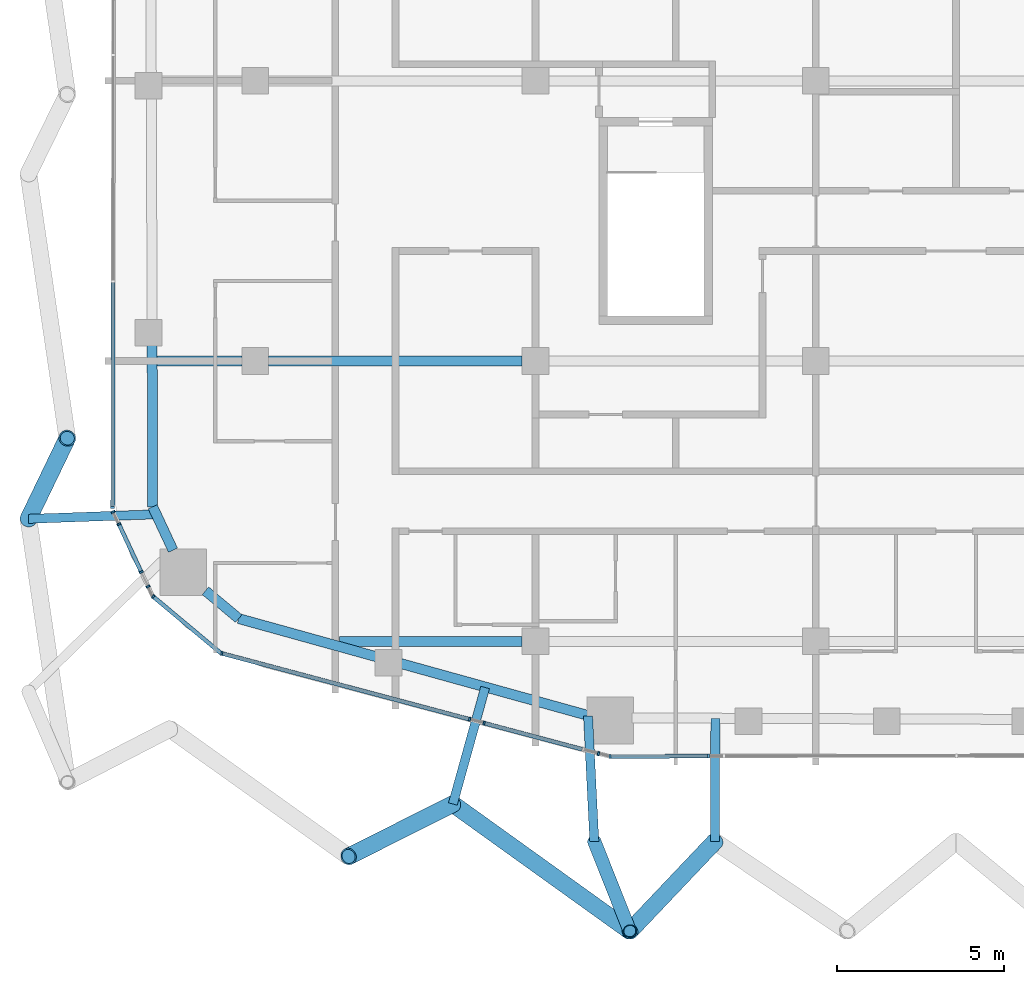
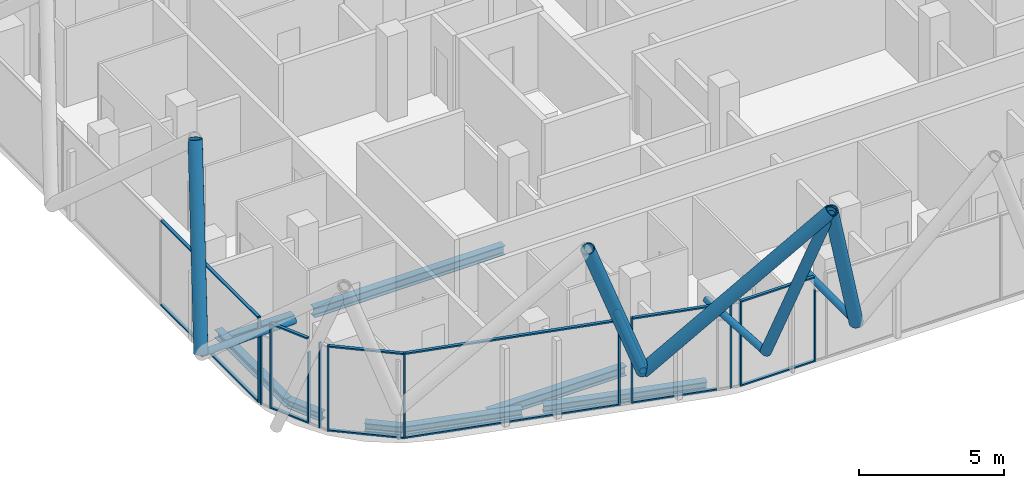
# One storey, part 2 of 33: 33 members, 8 beams, 12 elements without a shape of their own.
"""IFC4 building model written with IfcOpenShell, lengths in metres."""

from ifc_helpers import new_model, si_unit, direction, frame, origin, origin_2d, place, context, subcontext, project, spatial, rectangle, hollow_circle, i_section, extrude, material, layer, layer_set, material_profile, profile_set, type_object, element, aggregate, save


model = new_model("IFC4")

# Units and contexts
model_context = context("Model", 3, precision=1e-05, world=origin(), true_north=direction((0.0, 1.0)))
body_context = subcontext(model_context, "Body", "Model", "MODEL_VIEW")
ifc_project = project(units=[si_unit("LENGTHUNIT", "METRE"), si_unit("AREAUNIT", "SQUARE_METRE"), si_unit("VOLUMEUNIT", "CUBIC_METRE"), si_unit("PLANEANGLEUNIT", "RADIAN"), si_unit("MASSUNIT", "GRAM", prefix="KILO")], contexts=[model_context])

# Site, building, storey
site_placement = place(None, origin())
site = spatial("IfcSite", under=ifc_project, at=site_placement, CompositionType="ELEMENT")
building_placement = place(site_placement, origin())
building = spatial("IfcBuilding", under=site, at=building_placement, Name="Marenta Gate Hotel Tower", CompositionType="ELEMENT")
storey_placement = place(building_placement, frame((0.0, 0.0, 248.89990234375)))
storey = spatial("IfcBuildingStorey", under=building, at=storey_placement, Name="L59", CompositionType="ELEMENT", Elevation=248.89990234375)

# Members
ifc_material_1 = material(Name="Steel S355J2W", Category="steel")
ifc_material_profile_1 = material_profile(ifc_material_1, hollow_circle(Radius=0.203125, WallThickness=0.02490234375, at=origin_2d()), Name="CHS 406.4x25")
ifc_profile_set_1 = profile_set([ifc_material_profile_1], Name="Steel S355J2W")
member_type_1 = type_object("IfcMemberType", Name="Diagrid corner post Z3 CHS 406.4x25", PredefinedType="POST", material=ifc_profile_set_1)
member_1_placement = place(storey_placement, frame((-10.839111328125, -31.199951171875, 3.14013671875), z_axis=(0.137305110059, -0.346110841263, 0.92809190941), x_axis=(0.929527961275, 0.36875163621, 0.0)))
element("IfcMember", 1, at=member_1_placement, inside=storey, type_object=member_type_1, Name="L59-DR-4", PredefinedType="POST", context=body_context, shape_type="SweptSolid", body=[
    extrude(hollow_circle(Radius=0.203125, WallThickness=0.02490234375, at=origin_2d()), origin(), (0.0, 0.0, 1.0), 7.7578125),
])
ifc_material_2 = material(Name="Steel S355J2W", Category="steel")
ifc_material_profile_2 = material_profile(ifc_material_2, hollow_circle(Radius=0.25390625, WallThickness=0.0400390625, at=origin_2d()), Name="CHS 508x40")
ifc_profile_set_2 = profile_set([ifc_material_profile_2], Name="Steel S355J2W")
member_type_2 = type_object("IfcMemberType", Name="Diagrid diagonal T3 CHS 508x40", PredefinedType="BRACE", material=ifc_profile_set_2)
member_2_placement = place(storey_placement, frame((-7.22607421875, -31.199951171875, 3.14013671875), z_axis=(-0.314716585897, -0.331664719403, 0.889354813595), x_axis=(0.725397829228, -0.688329855049, 0.0)))
element("IfcMember", 2, at=member_2_placement, inside=storey, type_object=member_type_2, Name="L59-DG-20", PredefinedType="BRACE", context=body_context, shape_type="SweptSolid", body=[
    extrude(hollow_circle(Radius=0.25390625, WallThickness=0.0400390625, at=origin_2d()), origin(), (0.0, 0.0, 1.0), 8.095703125),
])
member_3_placement = place(storey_placement, frame((-15.079345703125, -30.074951171875, 3.14013671875), z_axis=(0.545753113279, -0.391929643635, 0.740638031555), x_axis=(0.583311759267, 0.812248355801, 0.0)))
element("IfcMember", 3, at=member_3_placement, inside=storey, type_object=member_type_2, Name="L59-DG-21", PredefinedType="BRACE", context=body_context, shape_type="SweptSolid", body=[
    extrude(hollow_circle(Radius=0.25390625, WallThickness=0.0400390625, at=origin_2d()), origin(), (0.0, 0.0, 1.0), 9.72119140625),
])
member_4_placement = place(storey_placement, frame((-15.079345703125, -30.074951171875, 3.14013671875), z_axis=(-0.390406899017, -0.196530119308, 0.899421127951), x_axis=(0.44964017183, -0.893209782681, 0.0)))
element("IfcMember", 4, at=member_4_placement, inside=storey, type_object=member_type_2, Name="L59-DG-22", PredefinedType="BRACE", context=body_context, shape_type="SweptSolid", body=[
    extrude(hollow_circle(Radius=0.25390625, WallThickness=0.0400390625, at=origin_2d()), origin(), (0.0, 0.0, 1.0), 8.005126953125),
])
member_5_placement = place(storey_placement, frame((-27.800048828125, -21.530029296875, 3.14013671875), z_axis=(0.151621202874, 0.314648946366, 0.937020304684), x_axis=(-0.900863347465, 0.434102786439, 0.0)))
element("IfcMember", 5, at=member_5_placement, inside=storey, type_object=member_type_2, Name="L59-DG-26", PredefinedType="BRACE", context=body_context, shape_type="SweptSolid", body=[
    extrude(hollow_circle(Radius=0.25390625, WallThickness=0.0400390625, at=origin_2d()), origin(), (0.0, 0.0, 1.0), 7.683837890625),
])

# Beams
ifc_material_3 = material(Name="Steel S355", Category="steel")
ifc_material_profile_3 = material_profile(ifc_material_3, i_section(OverallWidth=0.300048828125, OverallDepth=0.340087890625, WebThickness=0.011962890625, FlangeThickness=0.021484375, FilletRadius=0.027099609375, at=origin_2d()), Name="HEB 340")
ifc_profile_set_3 = profile_set([ifc_material_profile_3], Name="Steel S355")
beam_type_1 = type_object("IfcBeamType", Name="Edge beam HEB 340", PredefinedType="SPANDREL", material=ifc_profile_set_3)
beam_1_placement = place(storey_placement, frame((-11.02783203125, -27.42236328125, -0.429931640625), z_axis=(-0.963619240724, 0.267278803699, 0.0), x_axis=(-0.267278803699, -0.963619240724, 0.0)))
element("IfcBeam", 6, at=beam_1_placement, inside=storey, type_object=beam_type_1, Name="L59-EB-1", PredefinedType="SPANDREL", context=body_context, shape_type="SweptSolid", body=[
    extrude(i_section(OverallWidth=0.300048828125, OverallDepth=0.340087890625, WebThickness=0.011962890625, FlangeThickness=0.021484375, FilletRadius=0.027099609375, at=origin_2d()), origin(), (0.0, 0.0, 1.0), 5.82958984375),
])
beam_2_placement = place(storey_placement, frame((-17.3681640625, -25.663818359375, -0.429931640625), z_axis=(-0.963628037304, 0.267247087396, 0.0), x_axis=(-0.267247087396, -0.963628037304, 0.0)))
element("IfcBeam", 7, at=beam_2_placement, inside=storey, type_object=beam_type_1, Name="L59-EB-2", PredefinedType="SPANDREL", context=body_context, shape_type="SweptSolid", body=[
    extrude(i_section(OverallWidth=0.300048828125, OverallDepth=0.340087890625, WebThickness=0.011962890625, FlangeThickness=0.021484375, FilletRadius=0.027099609375, at=origin_2d()), origin(), (0.0, 0.0, 1.0), 4.284423828125),
])
beam_3_placement = place(storey_placement, frame((-21.496826171875, -24.518798828125, -0.429931640625), z_axis=(-0.767065103149, 0.641569269472, 0.0), x_axis=(-0.641569269472, -0.767065103149, 0.0)))
element("IfcBeam", 8, at=beam_3_placement, inside=storey, type_object=beam_type_1, Name="L59-EB-3", PredefinedType="SPANDREL", context=body_context, shape_type="SweptSolid", body=[
    extrude(i_section(OverallWidth=0.300048828125, OverallDepth=0.340087890625, WebThickness=0.011962890625, FlangeThickness=0.021484375, FilletRadius=0.027099609375, at=origin_2d()), origin(), (0.0, 0.0, 1.0), 1.299560546875),
])
beam_4_placement = place(storey_placement, frame((-23.466796875, -22.46923828125, -0.429931640625), z_axis=(-0.423341112024, 0.905970365338, 0.0), x_axis=(-0.905970365338, -0.423341112024, 0.0)))
element("IfcBeam", 9, at=beam_4_placement, inside=storey, type_object=beam_type_1, Name="L59-EB-4", PredefinedType="SPANDREL", context=body_context, shape_type="SweptSolid", body=[
    extrude(i_section(OverallWidth=0.300048828125, OverallDepth=0.340087890625, WebThickness=0.011962890625, FlangeThickness=0.021484375, FilletRadius=0.027099609375, at=origin_2d()), origin(), (0.0, 0.0, 1.0), 1.437255859375),
])
beam_5_placement = place(storey_placement, frame((-24.0751953125, -21.167236328125, -0.429931640625), z_axis=(-0.003318732666, 0.999994492992, 0.0), x_axis=(-0.999994492992, -0.003318732666, 0.0)))
element("IfcBeam", 10, at=beam_5_placement, inside=storey, type_object=beam_type_1, Name="L59-EB-5", PredefinedType="SPANDREL", context=body_context, shape_type="SweptSolid", body=[
    extrude(i_section(OverallWidth=0.300048828125, OverallDepth=0.340087890625, WebThickness=0.011962890625, FlangeThickness=0.021484375, FilletRadius=0.027099609375, at=origin_2d()), origin(), (0.0, 0.0, 1.0), 4.855224609375),
])

# Members
ifc_material_4 = material(Name="Steel S355J2W", Category="steel")
ifc_material_profile_4 = material_profile(ifc_material_4, hollow_circle(Radius=0.136474609375, WallThickness=0.012451171875, at=origin_2d()), Name="CHS 273x12.5")
ifc_profile_set_4 = profile_set([ifc_material_profile_4], Name="Steel S355J2W")
member_type_3 = type_object("IfcMemberType", Name="Floor tie CHS 273x12.5", PredefinedType="STRUT", material=ifc_profile_set_4)
member_6_placement = place(storey_placement, frame((-7.22607421875, -31.199951171875, 3.14013671875), z_axis=(0.003847911538, 0.999992596761, 0.0), x_axis=(-0.999992596761, 0.003847911538, 0.0)))
element("IfcMember", 11, at=member_6_placement, inside=storey, type_object=member_type_3, Name="L59-DR-15", PredefinedType="STRUT", context=body_context, shape_type="SweptSolid", body=[
    extrude(hollow_circle(Radius=0.136474609375, WallThickness=0.012451171875, at=origin_2d()), origin(), (0.0, 0.0, 1.0), 3.679931640625),
])
member_7_placement = place(storey_placement, frame((-10.839111328125, -31.199951171875, 3.14013671875), z_axis=(-0.049908522341, 0.998753793183, 0.0), x_axis=(-0.998753793183, -0.049908522341, 0.0)))
element("IfcMember", 12, at=member_7_placement, inside=storey, type_object=member_type_3, Name="L59-DR-16", PredefinedType="STRUT", context=body_context, shape_type="SweptSolid", body=[
    extrude(hollow_circle(Radius=0.136474609375, WallThickness=0.012451171875, at=origin_2d()), origin(), (0.0, 0.0, 1.0), 3.7666015625),
])
member_8_placement = place(storey_placement, frame((-15.079345703125, -30.074951171875, 3.14013671875), z_axis=(0.267310296681, 0.96361050497, 0.0), x_axis=(-0.96361050497, 0.267310296681, 0.0)))
element("IfcMember", 13, at=member_8_placement, inside=storey, type_object=member_type_3, Name="L59-DR-17", PredefinedType="STRUT", context=body_context, shape_type="SweptSolid", body=[
    extrude(hollow_circle(Radius=0.136474609375, WallThickness=0.012451171875, at=origin_2d()), origin(), (0.0, 0.0, 1.0), 3.6240234375),
])
member_9_placement = place(storey_placement, frame((-27.800048828125, -21.530029296875, 3.14013671875), z_axis=(0.999367409189, 0.03556376597, 0.0), x_axis=(-0.03556376597, 0.999367409189, 0.0)))
element("IfcMember", 14, at=member_9_placement, inside=storey, type_object=member_type_3, Name="L59-DR-19", PredefinedType="STRUT", context=body_context, shape_type="SweptSolid", body=[
    extrude(hollow_circle(Radius=0.136474609375, WallThickness=0.012451171875, at=origin_2d()), origin(), (0.0, 0.0, 1.0), 3.81689453125),
])

# Beams
ifc_material_5 = material(Name="Steel S355", Category="steel")
ifc_material_profile_5 = material_profile(ifc_material_5, i_section(OverallWidth=0.300048828125, OverallDepth=0.39990234375, WebThickness=0.013427734375, FlangeThickness=0.02392578125, FilletRadius=0.027099609375, at=origin_2d()), Name="HEB 400")
ifc_profile_set_5 = profile_set([ifc_material_profile_5], Name="Steel S355")
beam_type_2 = type_object("IfcBeamType", Name="Girder HEB 400", PredefinedType="BEAM", material=ifc_profile_set_5)
beam_6_placement = place(storey_placement, frame((-18.479248046875, -25.199951171875, -0.4599609375), z_axis=(1.0, 0.0, 0.0), x_axis=(0.0, 1.0, 0.0)))
element("IfcBeam", 15, at=beam_6_placement, inside=storey, type_object=beam_type_2, Name="L59-GD-1", PredefinedType="BEAM", context=body_context, shape_type="SweptSolid", body=[
    extrude(i_section(OverallWidth=0.300048828125, OverallDepth=0.39990234375, WebThickness=0.013427734375, FlangeThickness=0.02392578125, FilletRadius=0.027099609375, at=origin_2d()), origin(), (0.0, 0.0, 1.0), 5.479248046875),
])
beam_7_placement = place(storey_placement, frame((-23.939697265625, -16.800048828125, -0.4599609375), z_axis=(1.0, 0.0, 0.0), x_axis=(0.0, 1.0, 0.0)))
element("IfcBeam", 16, at=beam_7_placement, inside=storey, type_object=beam_type_2, Name="L59-GD-6", PredefinedType="BEAM", context=body_context, shape_type="SweptSolid", body=[
    extrude(i_section(OverallWidth=0.300048828125, OverallDepth=0.39990234375, WebThickness=0.013427734375, FlangeThickness=0.02392578125, FilletRadius=0.027099609375, at=origin_2d()), origin(), (0.0, 0.0, 1.0), 2.539794921875),
])
beam_8_placement = place(storey_placement, frame((-20.60009765625, -16.800048828125, -0.4599609375), z_axis=(1.0, 0.0, 0.0), x_axis=(0.0, 1.0, 0.0)))
element("IfcBeam", 17, at=beam_8_placement, inside=storey, type_object=beam_type_2, Name="L59-GD-7", PredefinedType="BEAM", context=body_context, shape_type="SweptSolid", body=[
    extrude(i_section(OverallWidth=0.300048828125, OverallDepth=0.39990234375, WebThickness=0.013427734375, FlangeThickness=0.02392578125, FilletRadius=0.027099609375, at=origin_2d()), origin(), (0.0, 0.0, 1.0), 7.60009765625),
])

# Curtain wall, member
ifc_material_6 = material(Name="Tinted insulated glass in bronze anodised frame", Category="glass")
ifc_layer = layer(ifc_material_6, 0.1201171875)
ifc_layer_set = layer_set([ifc_layer], Name="Tinted insulated glass in bronze anodised frame")
curtain_wall_type = type_object("IfcCurtainWallType", Name="Tower unitised curtain wall CW1", PredefinedType="NOTDEFINED", material=ifc_layer_set)
curtain_wall_1_placement = place(storey_placement, origin())
curtain_wall_1 = element("IfcCurtainWall", 18, at=curtain_wall_1_placement, inside=storey, type_object=curtain_wall_type, Name="CW1 run G08", PredefinedType="NOTDEFINED")
ifc_material_7 = material(Name="Bronze anodised aluminium", Category="aluminium")
ifc_material_profile_6 = material_profile(ifc_material_7, rectangle(XDim=0.1201171875, YDim=0.06005859375, at=origin_2d()), Name="Mullion CW1 60x120 bronze anodised aluminium")
ifc_profile_set_6 = profile_set([ifc_material_profile_6], Name="Bronze anodised aluminium")
member_type_4 = type_object("IfcMemberType", Name="Mullion CW1 60x120 bronze anodised aluminium", PredefinedType="MULLION", material=ifc_profile_set_6)
member_10_placement = place(storey_placement, frame((-25.27294921875, -21.183349609375, 0.0), z_axis=(0.0, 0.0, 1.0), x_axis=(0.999998775908, -0.001564666982, 0.0)))
member_10 = element("IfcMember", 19, at=member_10_placement, type_object=member_type_4, Name="CW1 mullion 4", PredefinedType="MULLION", context=body_context, shape_type="SweptSolid", body=[
    extrude(rectangle(XDim=0.1201171875, YDim=0.06005859375, at=origin_2d()), origin(), (0.0, 0.0, 1.0), 3.60009765625),
])

curtain_wall_2_placement = place(storey_placement, origin())
curtain_wall_2 = element("IfcCurtainWall", 20, at=curtain_wall_2_placement, inside=storey, type_object=curtain_wall_type, Name="CW1 run G09", PredefinedType="NOTDEFINED")
member_11_placement = place(storey_placement, frame((-25.26025390625, -21.321044921875, 0.0), z_axis=(0.0, 0.0, 1.0), x_axis=(0.905968482447, 0.423345141478, 0.0)))
member_11 = element("IfcMember", 21, at=member_11_placement, type_object=member_type_4, Name="CW1 mullion 1", PredefinedType="MULLION", context=body_context, shape_type="SweptSolid", body=[
    extrude(rectangle(XDim=0.1201171875, YDim=0.06005859375, at=origin_2d()), origin(), (0.0, 0.0, 1.0), 3.00048828125),
])
aggregate(curtain_wall_2, [member_11])

curtain_wall_3_placement = place(storey_placement, origin())
curtain_wall_3 = element("IfcCurtainWall", 22, at=curtain_wall_3_placement, inside=storey, type_object=curtain_wall_type, Name="CW1 run G10", PredefinedType="NOTDEFINED")
member_12_placement = place(storey_placement, frame((-25.0888671875, -21.687744140625, 0.0), z_axis=(0.0, 0.0, 1.0), x_axis=(0.905965126559, 0.423352323083, 0.0)))
member_12 = element("IfcMember", 23, at=member_12_placement, type_object=member_type_4, Name="CW1 mullion 1", PredefinedType="MULLION", context=body_context, shape_type="SweptSolid", body=[
    extrude(rectangle(XDim=0.1201171875, YDim=0.06005859375, at=origin_2d()), origin(), (0.0, 0.0, 1.0), 3.60009765625),
])

curtain_wall_4_placement = place(storey_placement, origin())
curtain_wall_4 = element("IfcCurtainWall", 24, at=curtain_wall_4_placement, inside=storey, type_object=curtain_wall_type, Name="CW1 run G11", PredefinedType="NOTDEFINED")
member_13_placement = place(storey_placement, frame((-24.418701171875, -23.121826171875, 0.0), z_axis=(0.0, 0.0, 1.0), x_axis=(0.905948786251, 0.423387289241, 0.0)))
member_13 = element("IfcMember", 25, at=member_13_placement, type_object=member_type_4, Name="CW1 mullion 1", PredefinedType="MULLION", context=body_context, shape_type="SweptSolid", body=[
    extrude(rectangle(XDim=0.1201171875, YDim=0.06005859375, at=origin_2d()), origin(), (0.0, 0.0, 1.0), 3.00048828125),
])
aggregate(curtain_wall_4, [member_13])

curtain_wall_5_placement = place(storey_placement, origin())
curtain_wall_5 = element("IfcCurtainWall", 26, at=curtain_wall_5_placement, inside=storey, type_object=curtain_wall_type, Name="CW1 run G12", PredefinedType="NOTDEFINED")
member_14_placement = place(storey_placement, frame((-24.215576171875, -23.556640625, 0.0), z_axis=(0.0, 0.0, 1.0), x_axis=(0.906041812836, 0.423188177285, 0.0)))
member_14 = element("IfcMember", 27, at=member_14_placement, type_object=member_type_4, Name="CW1 mullion 1", PredefinedType="MULLION", context=body_context, shape_type="SweptSolid", body=[
    extrude(rectangle(XDim=0.1201171875, YDim=0.06005859375, at=origin_2d()), origin(), (0.0, 0.0, 1.0), 3.60009765625),
])
aggregate(curtain_wall_5, [member_14])

curtain_wall_6_placement = place(storey_placement, origin())
curtain_wall_6 = element("IfcCurtainWall", 28, at=curtain_wall_6_placement, inside=storey, type_object=curtain_wall_type, Name="CW1 run G13", PredefinedType="NOTDEFINED")
member_15_placement = place(storey_placement, frame((-24.059814453125, -23.85986328125, 0.0), z_axis=(0.0, 0.0, 1.0), x_axis=(0.641524739495, 0.767102345594, 0.0)))
member_15 = element("IfcMember", 29, at=member_15_placement, type_object=member_type_4, Name="CW1 mullion 1", PredefinedType="MULLION", context=body_context, shape_type="SweptSolid", body=[
    extrude(rectangle(XDim=0.1201171875, YDim=0.06005859375, at=origin_2d()), origin(), (0.0, 0.0, 1.0), 3.60009765625),
])

curtain_wall_7_placement = place(storey_placement, origin())
curtain_wall_7 = element("IfcCurtainWall", 30, at=curtain_wall_7_placement, inside=storey, type_object=curtain_wall_type, Name="CW1 run G14", PredefinedType="NOTDEFINED")
member_16_placement = place(storey_placement, frame((-22.00634765625, -25.560791015625, 0.0), z_axis=(0.0, 0.0, 1.0), x_axis=(0.257136207427, 0.966375170847, 0.0)))
member_16 = element("IfcMember", 31, at=member_16_placement, type_object=member_type_4, Name="CW1 mullion 1", PredefinedType="MULLION", context=body_context, shape_type="SweptSolid", body=[
    extrude(rectangle(XDim=0.1201171875, YDim=0.06005859375, at=origin_2d()), origin(), (0.0, 0.0, 1.0), 3.60009765625),
])

curtain_wall_8_placement = place(storey_placement, origin())
curtain_wall_8 = element("IfcCurtainWall", 32, at=curtain_wall_8_placement, inside=storey, type_object=curtain_wall_type, Name="CW1 run G15", PredefinedType="NOTDEFINED")
member_17_placement = place(storey_placement, frame((-14.579345703125, -27.537109375, 0.0), z_axis=(0.0, 0.0, 1.0), x_axis=(0.257154287199, 0.966370359942, 0.0)))
member_17 = element("IfcMember", 33, at=member_17_placement, type_object=member_type_4, Name="CW1 mullion 1", PredefinedType="MULLION", context=body_context, shape_type="SweptSolid", body=[
    extrude(rectangle(XDim=0.1201171875, YDim=0.06005859375, at=origin_2d()), origin(), (0.0, 0.0, 1.0), 3.00048828125),
])
aggregate(curtain_wall_8, [member_17])

curtain_wall_9_placement = place(storey_placement, origin())
curtain_wall_9 = element("IfcCurtainWall", 34, at=curtain_wall_9_placement, inside=storey, type_object=curtain_wall_type, Name="CW1 run G16", PredefinedType="NOTDEFINED")
member_18_placement = place(storey_placement, frame((-14.1416015625, -27.653564453125, 0.0), z_axis=(0.0, 0.0, 1.0), x_axis=(0.257125303349, 0.966378072173, 0.0)))
member_18 = element("IfcMember", 35, at=member_18_placement, type_object=member_type_4, Name="CW1 mullion 1", PredefinedType="MULLION", context=body_context, shape_type="SweptSolid", body=[
    extrude(rectangle(XDim=0.1201171875, YDim=0.06005859375, at=origin_2d()), origin(), (0.0, 0.0, 1.0), 3.60009765625),
])

curtain_wall_10_placement = place(storey_placement, origin())
curtain_wall_10 = element("IfcCurtainWall", 36, at=curtain_wall_10_placement, inside=storey, type_object=curtain_wall_type, Name="CW1 run G18", PredefinedType="NOTDEFINED")
member_19_placement = place(storey_placement, frame((-10.71533203125, -28.565185546875, 0.0), z_axis=(0.0, 0.0, 1.0), x_axis=(0.257360406209, 0.966315487466, 0.0)))
member_19 = element("IfcMember", 37, at=member_19_placement, type_object=member_type_4, Name="CW1 mullion 1", PredefinedType="MULLION", context=body_context, shape_type="SweptSolid", body=[
    extrude(rectangle(XDim=0.1201171875, YDim=0.06005859375, at=origin_2d()), origin(), (0.0, 0.0, 1.0), 3.60009765625),
])
aggregate(curtain_wall_10, [member_19])

curtain_wall_11_placement = place(storey_placement, origin())
curtain_wall_11 = element("IfcCurtainWall", 38, at=curtain_wall_11_placement, inside=storey, type_object=curtain_wall_type, Name="CW1 run G19", PredefinedType="NOTDEFINED")
member_20_placement = place(storey_placement, frame((-10.3759765625, -28.6474609375, 0.0), z_axis=(0.0, 0.0, 1.0), x_axis=(-0.001653559645, 0.999998632869, 0.0)))
member_20 = element("IfcMember", 39, at=member_20_placement, type_object=member_type_4, Name="CW1 mullion 1", PredefinedType="MULLION", context=body_context, shape_type="SweptSolid", body=[
    extrude(rectangle(XDim=0.1201171875, YDim=0.06005859375, at=origin_2d()), origin(), (0.0, 0.0, 1.0), 3.60009765625),
])

curtain_wall_12_placement = place(storey_placement, origin())
curtain_wall_12 = element("IfcCurtainWall", 40, at=curtain_wall_12_placement, inside=storey, type_object=curtain_wall_type, Name="CW1 run G20", PredefinedType="NOTDEFINED")
member_21_placement = place(storey_placement, frame((-7.41259765625, -28.642578125, 0.0), z_axis=(0.0, 0.0, 1.0), x_axis=(-0.001766001654, 0.999998440618, 0.0)))
member_21 = element("IfcMember", 41, at=member_21_placement, type_object=member_type_4, Name="CW1 mullion 1", PredefinedType="MULLION", context=body_context, shape_type="SweptSolid", body=[
    extrude(rectangle(XDim=0.1201171875, YDim=0.06005859375, at=origin_2d()), origin(), (0.0, 0.0, 1.0), 3.00048828125),
])
aggregate(curtain_wall_12, [member_21])

# Member
ifc_material_8 = material(Name="Bronze anodised aluminium", Category="aluminium")
ifc_material_profile_7 = material_profile(ifc_material_8, rectangle(XDim=0.1201171875, YDim=0.06005859375, at=origin_2d()), Name="Transom CW1 60x120 bronze anodised aluminium")
ifc_profile_set_7 = profile_set([ifc_material_profile_7], Name="Bronze anodised aluminium")
member_type_5 = type_object("IfcMemberType", Name="Transom CW1 60x120 bronze anodised aluminium", PredefinedType="USERDEFINED", material=ifc_profile_set_7)
member_22_placement = place(storey_placement, frame((-25.26220703125, -14.447509765625, 0.030029296875), z_axis=(-0.001565513063, -0.999998774584, 0.0), x_axis=(0.999998774584, -0.001565513063, 0.0)))
member_22 = element("IfcMember", 42, at=member_22_placement, type_object=member_type_5, Name="CW1 transom 3.1", ObjectType="TRANSOM", PredefinedType="USERDEFINED", context=body_context, shape_type="SweptSolid", body=[
    extrude(rectangle(XDim=0.1201171875, YDim=0.06005859375, at=origin_2d()), origin(), (0.0, 0.0, 1.0), 6.705810546875),
])

member_23_placement = place(storey_placement, frame((-25.26220703125, -14.447509765625, 3.570068359375), z_axis=(-0.001565513063, -0.999998774584, 0.0), x_axis=(0.999998774584, -0.001565513063, 0.0)))
member_23 = element("IfcMember", 43, at=member_23_placement, type_object=member_type_5, Name="CW1 transom 3.2", ObjectType="TRANSOM", PredefinedType="USERDEFINED", context=body_context, shape_type="SweptSolid", body=[
    extrude(rectangle(XDim=0.1201171875, YDim=0.06005859375, at=origin_2d()), origin(), (0.0, 0.0, 1.0), 6.705810546875),
])

aggregate(curtain_wall_1, [member_10, member_22, member_23])

member_24_placement = place(storey_placement, frame((-25.076171875, -21.71484375, 0.030029296875), z_axis=(0.423394431016, -0.90594544857, 0.0), x_axis=(0.90594544857, 0.423394431016, 0.0)))
member_24 = element("IfcMember", 44, at=member_24_placement, type_object=member_type_5, Name="CW1 transom 1.1", ObjectType="TRANSOM", PredefinedType="USERDEFINED", context=body_context, shape_type="SweptSolid", body=[
    extrude(rectangle(XDim=0.1201171875, YDim=0.06005859375, at=origin_2d()), origin(), (0.0, 0.0, 1.0), 1.52294921875),
])

member_25_placement = place(storey_placement, frame((-25.076171875, -21.71484375, 3.570068359375), z_axis=(0.423394431016, -0.90594544857, 0.0), x_axis=(0.90594544857, 0.423394431016, 0.0)))
member_25 = element("IfcMember", 45, at=member_25_placement, type_object=member_type_5, Name="CW1 transom 1.2", ObjectType="TRANSOM", PredefinedType="USERDEFINED", context=body_context, shape_type="SweptSolid", body=[
    extrude(rectangle(XDim=0.1201171875, YDim=0.06005859375, at=origin_2d()), origin(), (0.0, 0.0, 1.0), 1.52294921875),
])

aggregate(curtain_wall_3, [member_12, member_24, member_25])

member_26_placement = place(storey_placement, frame((-24.036865234375, -23.879150390625, 0.030029296875), z_axis=(0.767100312603, -0.641527170433, 0.0), x_axis=(0.641527170433, 0.767100312603, 0.0)))
member_26 = element("IfcMember", 46, at=member_26_placement, type_object=member_type_5, Name="CW1 transom 1.1", ObjectType="TRANSOM", PredefinedType="USERDEFINED", context=body_context, shape_type="SweptSolid", body=[
    extrude(rectangle(XDim=0.1201171875, YDim=0.06005859375, at=origin_2d()), origin(), (0.0, 0.0, 1.0), 2.609130859375),
])

member_27_placement = place(storey_placement, frame((-24.036865234375, -23.879150390625, 3.570068359375), z_axis=(0.767100312603, -0.641527170433, 0.0), x_axis=(0.641527170433, 0.767100312603, 0.0)))
member_27 = element("IfcMember", 47, at=member_27_placement, type_object=member_type_5, Name="CW1 transom 1.2", ObjectType="TRANSOM", PredefinedType="USERDEFINED", context=body_context, shape_type="SweptSolid", body=[
    extrude(rectangle(XDim=0.1201171875, YDim=0.06005859375, at=origin_2d()), origin(), (0.0, 0.0, 1.0), 2.609130859375),
])

aggregate(curtain_wall_6, [member_15, member_26, member_27])

member_28_placement = place(storey_placement, frame((-21.977294921875, -25.568603515625, 0.030029296875), z_axis=(0.966376678681, -0.257130540585, 0.0), x_axis=(0.257130540585, 0.966376678681, 0.0)))
member_28 = element("IfcMember", 48, at=member_28_placement, type_object=member_type_5, Name="CW1 transom 1.1", ObjectType="TRANSOM", PredefinedType="USERDEFINED", context=body_context, shape_type="SweptSolid", body=[
    extrude(rectangle(XDim=0.1201171875, YDim=0.06005859375, at=origin_2d()), origin(), (0.0, 0.0, 1.0), 7.625244140625),
])

member_29_placement = place(storey_placement, frame((-21.977294921875, -25.568603515625, 3.570068359375), z_axis=(0.966376678681, -0.257130540585, 0.0), x_axis=(0.257130540585, 0.966376678681, 0.0)))
member_29 = element("IfcMember", 49, at=member_29_placement, type_object=member_type_5, Name="CW1 transom 1.2", ObjectType="TRANSOM", PredefinedType="USERDEFINED", context=body_context, shape_type="SweptSolid", body=[
    extrude(rectangle(XDim=0.1201171875, YDim=0.06005859375, at=origin_2d()), origin(), (0.0, 0.0, 1.0), 7.625244140625),
])

aggregate(curtain_wall_7, [member_16, member_28, member_29])

member_30_placement = place(storey_placement, frame((-14.112548828125, -27.6611328125, 0.030029296875), z_axis=(0.966372132663, -0.257147625329, 0.0), x_axis=(0.257147625329, 0.966372132663, 0.0)))
member_30 = element("IfcMember", 50, at=member_30_placement, type_object=member_type_5, Name="CW1 transom 1.1", ObjectType="TRANSOM", PredefinedType="USERDEFINED", context=body_context, shape_type="SweptSolid", body=[
    extrude(rectangle(XDim=0.1201171875, YDim=0.06005859375, at=origin_2d()), origin(), (0.0, 0.0, 1.0), 3.009765625),
])

member_31_placement = place(storey_placement, frame((-14.112548828125, -27.6611328125, 3.570068359375), z_axis=(0.966372132663, -0.257147625329, 0.0), x_axis=(0.257147625329, 0.966372132663, 0.0)))
member_31 = element("IfcMember", 51, at=member_31_placement, type_object=member_type_5, Name="CW1 transom 1.2", ObjectType="TRANSOM", PredefinedType="USERDEFINED", context=body_context, shape_type="SweptSolid", body=[
    extrude(rectangle(XDim=0.1201171875, YDim=0.06005859375, at=origin_2d()), origin(), (0.0, 0.0, 1.0), 3.009765625),
])

aggregate(curtain_wall_9, [member_18, member_30, member_31])

member_32_placement = place(storey_placement, frame((-10.345947265625, -28.6474609375, 0.030029296875), z_axis=(0.999998585773, 0.001681800514, 0.0), x_axis=(-0.001681800514, 0.999998585773, 0.0)))
member_32 = element("IfcMember", 52, at=member_32_placement, type_object=member_type_5, Name="CW1 transom 1.1", ObjectType="TRANSOM", PredefinedType="USERDEFINED", context=body_context, shape_type="SweptSolid", body=[
    extrude(rectangle(XDim=0.1201171875, YDim=0.06005859375, at=origin_2d()), origin(), (0.0, 0.0, 1.0), 2.9033203125),
])

member_33_placement = place(storey_placement, frame((-10.345947265625, -28.6474609375, 3.570068359375), z_axis=(0.999998585773, 0.001681800514, 0.0), x_axis=(-0.001681800514, 0.999998585773, 0.0)))
member_33 = element("IfcMember", 53, at=member_33_placement, type_object=member_type_5, Name="CW1 transom 1.2", ObjectType="TRANSOM", PredefinedType="USERDEFINED", context=body_context, shape_type="SweptSolid", body=[
    extrude(rectangle(XDim=0.1201171875, YDim=0.06005859375, at=origin_2d()), origin(), (0.0, 0.0, 1.0), 2.9033203125),
])

aggregate(curtain_wall_11, [member_20, member_32, member_33])

save(model, "model.ifc")
